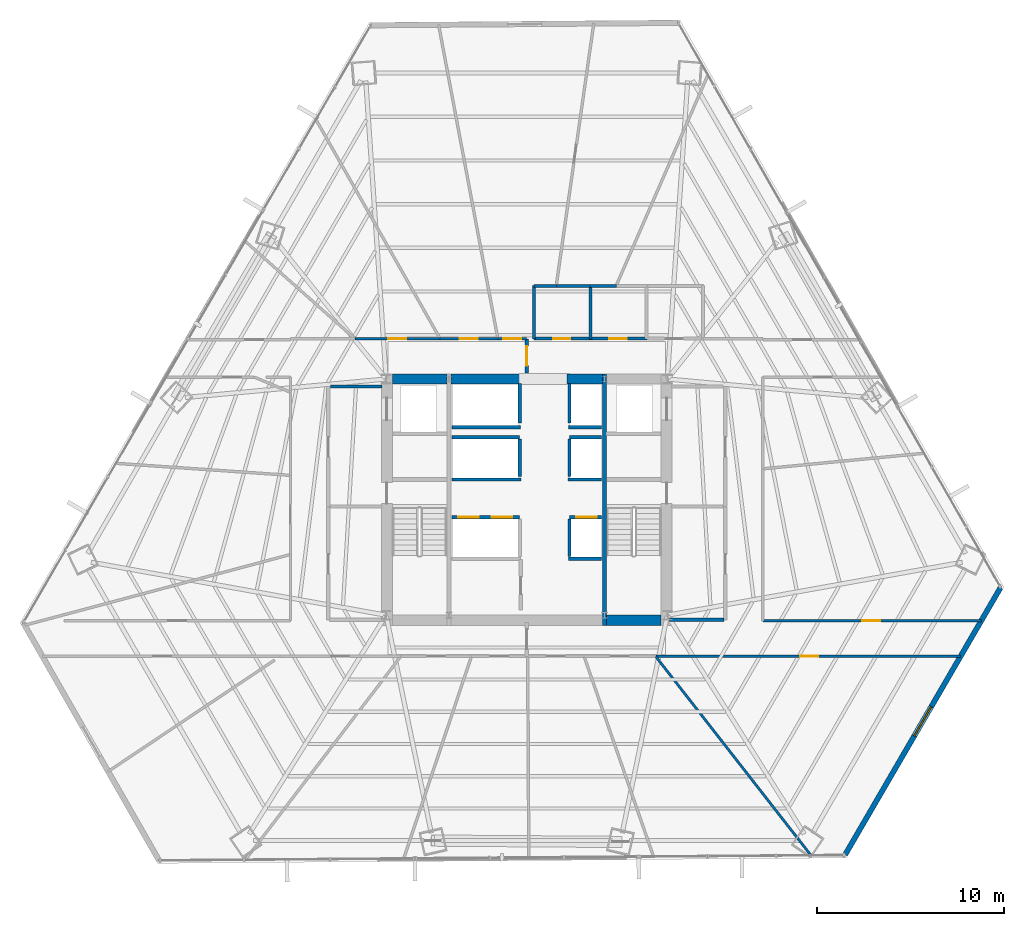
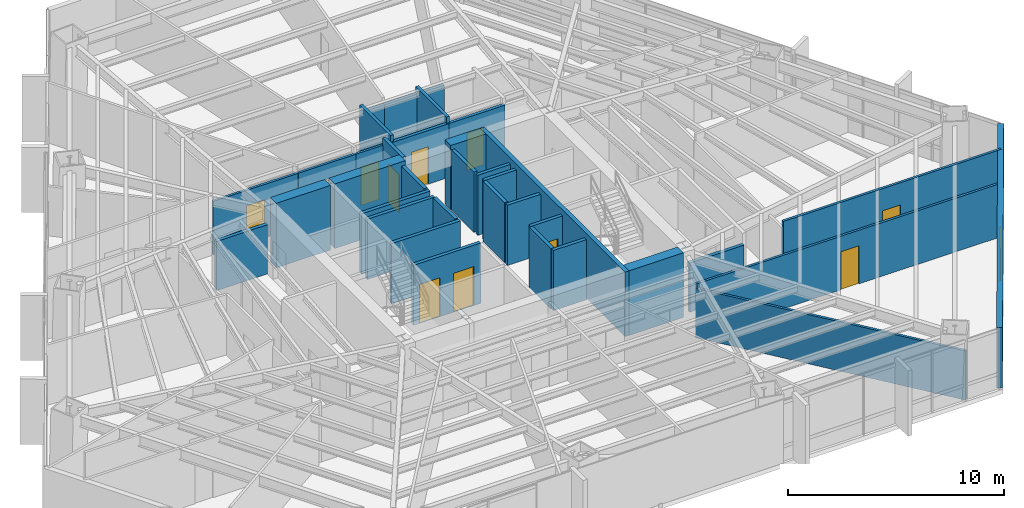
# One storey, part 30 of 35: 36 walls, 11 doors, 1 window, 12 openings.
"""IFC4 building model written with IfcOpenShell, lengths in metres."""

from ifc_helpers import new_model, si_unit, direction, frame, frame_2d, origin, place, context, subcontext, project, spatial, rectangle, extrude, material, layer, layer_set, type_object, element, fill, save


model = new_model("IFC4")

# Units and contexts
model_context = context("Model", 3, precision=1e-05, world=origin(), true_north=direction((0.0, 1.0)))
body_context = subcontext(model_context, "Body", "Model", "MODEL_VIEW")
ifc_project = project(units=[si_unit("LENGTHUNIT", "METRE"), si_unit("AREAUNIT", "SQUARE_METRE"), si_unit("VOLUMEUNIT", "CUBIC_METRE"), si_unit("PLANEANGLEUNIT", "RADIAN"), si_unit("MASSUNIT", "GRAM", prefix="KILO")], contexts=[model_context])

# Site, building, storey
site_placement = place(None, origin())
site = spatial("IfcSite", under=ifc_project, at=site_placement, CompositionType="ELEMENT")
building_placement = place(site_placement, origin())
building = spatial("IfcBuilding", under=site, at=building_placement, Name="Caelisora Broadcast Tower", CompositionType="ELEMENT")
storey_placement = place(building_placement, frame((0.0, 0.0, 53.14990234375)))
storey = spatial("IfcBuildingStorey", under=building, at=storey_placement, Name="L13", CompositionType="ELEMENT", Elevation=53.14990234375)

# Walls
ifc_material_1 = material(Name="Concrete 65 MPa (AS 3600 S65)", Category="concrete")
ifc_layer_1 = layer(ifc_material_1, 0.550048828125, Name="Concrete 65 MPa (AS 3600 S65)")
ifc_layer_set_1 = layer_set([ifc_layer_1], Name="Concrete 65 MPa (AS 3600 S65)")
wall_type_1 = type_object("IfcWallType", Name="CW4", PredefinedType="SHEAR", material=ifc_layer_set_1)
for number, where, z_axis, x_axis, name in (
    (1, (42.260009765625, 17.125, 0.0), (0.0, 0.0, 1.0), (1.0, 0.0, 0.0), "L13 core shear wall CW4"),
    (2, (30.840087890625, 30.0, 0.0), (0.0, 0.0, 1.0), (1.0, 0.0, 0.0), "L13 core shear wall CW4"),
):
    element("IfcWall", number, at=place(storey_placement, frame(where, z_axis=z_axis, x_axis=x_axis)), inside=storey, type_object=wall_type_1, Name=name, PredefinedType="SHEAR", context=body_context, shape_type="SweptSolid", body=[
        extrude(rectangle(XDim=2.89990234375, YDim=0.550048828125, at=frame_2d((1.449951171875, 0.0))), origin(), (0.0, 0.0, 1.0), 3.650146484375),
    ])
wall_1_placement = place(storey_placement, frame((33.9599609375, 30.0, 0.0), z_axis=(0.0, 0.0, 1.0), x_axis=(1.0, 0.0, 0.0)))
element("IfcWall", 3, at=wall_1_placement, inside=storey, type_object=wall_type_1, Name="L13 core shear wall CW4", PredefinedType="SHEAR", context=body_context, shape_type="SweptSolid", body=[
    extrude(rectangle(XDim=3.780029296875, YDim=0.550048828125, at=frame_2d((1.89013671875, 0.0))), origin(), (0.0, 0.0, 1.0), 3.650146484375),
])
wall_2_placement = place(storey_placement, frame((40.159912109375, 30.0, 0.0), z_axis=(0.0, 0.0, 1.0), x_axis=(1.0, 0.0, 0.0)))
element("IfcWall", 4, at=wall_2_placement, inside=storey, type_object=wall_type_1, Name="L13 core shear wall CW4", PredefinedType="SHEAR", context=body_context, shape_type="SweptSolid", body=[
    extrude(rectangle(XDim=1.880126953125, YDim=0.550048828125, at=frame_2d((0.93994140625, 0.0))), origin(), (0.0, 0.0, 1.0), 3.650146484375),
])
ifc_material_2 = material(Name="Concrete 50 MPa (AS 3600 S50)", Category="concrete")
ifc_layer_2 = layer(ifc_material_2, 0.219970703125, Name="Concrete 50 MPa (AS 3600 S50)")
ifc_layer_set_2 = layer_set([ifc_layer_2], Name="Concrete 50 MPa (AS 3600 S50)")
wall_type_2 = type_object("IfcWallType", Name="CW7", PredefinedType="SHEAR", material=ifc_layer_set_2)
wall_3_placement = place(storey_placement, frame((42.14990234375, 16.85009765625, 0.0), z_axis=(0.0, 0.0, 1.0), x_axis=(0.0, 1.0, 0.0)))
element("IfcWall", 5, at=wall_3_placement, inside=storey, type_object=wall_type_2, Name="L13 core shear wall CW7", PredefinedType="SHEAR", context=body_context, shape_type="SweptSolid", body=[
    extrude(rectangle(XDim=13.4248046875, YDim=0.219970703125, at=frame_2d((6.71240234375, 0.0))), origin(), (0.0, 0.0, 1.0), 3.650146484375),
])

# Wall, opening, window
ifc_material_3 = material(Name="Insulated Terracotta Spandrel Wall System", Category="masonry")
ifc_layer_3 = layer(ifc_material_3, 0.280029296875, Name="Insulated Terracotta Spandrel Wall System")
ifc_layer_set_3 = layer_set([ifc_layer_3], Name="Insulated Terracotta Spandrel Wall System")
wall_type_3 = type_object("IfcWallType", Name="EW1", PredefinedType="STANDARD", material=ifc_layer_set_3)
wall_4_placement = place(storey_placement, frame((63.27001953125, 18.864013671875, 0.0), z_axis=(0.0, 0.0, 1.0), x_axis=(-0.502874450926, -0.864359466082, 0.0)))
wall_4 = element("IfcWall", 6, at=wall_4_placement, inside=storey, type_object=wall_type_3, Name="L13 exterior envelope wall EW1", PredefinedType="STANDARD", context=body_context, shape_type="SweptSolid", body=[
    extrude(rectangle(XDim=16.47119140625, YDim=0.280029296875, at=frame_2d((8.235595703125, 0.0))), origin(), (0.0, 0.0, 1.0), 3.400146484375),
])
opening_1_placement = place(wall_4_placement, frame((7.340087890625, 0.0, 0.89990234375)))
opening_1 = element("IfcOpeningElement", 7, at=opening_1_placement, cuts=wall_4, Name="Opening W01", PredefinedType="OPENING", context=body_context, shape_type="SweptSolid", body=[
    extrude(rectangle(XDim=1.800048828125, YDim=1.800048828125, at=frame_2d((0.89990234375, 0.89990234375))), frame((0.0, 0.152099609375, 0.0), z_axis=(0.0, -1.0, 0.0), x_axis=(1.0, 0.0, 0.0)), (0.0, 0.0, 1.0), 0.303955078125),
])
ifc_material_4 = material(Name="Double Glazed Terracotta-Framed Vision Window", Category="glass")
window_type = type_object("IfcWindowType", Name="W01", PartitioningType="SINGLE_PANEL", PredefinedType="WINDOW", material=ifc_material_4)
window_placement = place(opening_1_placement, origin())
window = element("IfcWindow", 8, at=window_placement, inside=storey, type_object=window_type, Name="L13 window W01 (L13-WN-CH0)", OverallHeight=1.800048828125, OverallWidth=1.800048828125, PartitioningType="SINGLE_PANEL", PredefinedType="WINDOW", context=body_context, shape_type="SweptSolid", body=[
    extrude(rectangle(XDim=1.800048828125, YDim=1.800048828125, at=frame_2d((0.89990234375, 0.89990234375))), frame((0.0, 0.030029296875, 0.0), z_axis=(0.0, -1.0, 0.0), x_axis=(1.0, 0.0, 0.0)), (0.0, 0.0, 1.0), 0.06005859375),
])
fill(opening_1, window)

# Wall, openings, doors
ifc_material_5 = material(Name="Fire-Rated Gypsum Shaft and Compartment Wall", Category="gypsum")
ifc_layer_4 = layer(ifc_material_5, 0.179931640625, Name="Fire-Rated Gypsum Shaft and Compartment Wall")
ifc_layer_set_4 = layer_set([ifc_layer_4], Name="Fire-Rated Gypsum Shaft and Compartment Wall")
wall_type_4 = type_object("IfcWallType", Name="PW2", PredefinedType="PARTITIONING", material=ifc_layer_set_4)
wall_5_placement = place(storey_placement, frame((34.02001953125, 22.6201171875, 0.0), z_axis=(0.0, 0.0, 1.0), x_axis=(1.0, 0.0, 0.0)))
wall_5 = element("IfcWall", 9, at=wall_5_placement, inside=storey, type_object=wall_type_4, Name="L13 fire compartment wall PW2", PredefinedType="PARTITIONING", context=body_context, shape_type="SweptSolid", body=[
    extrude(rectangle(XDim=3.60009765625, YDim=0.179931640625, at=frame_2d((1.800048828125, 0.0))), origin(), (0.0, 0.0, 1.0), 3.400146484375),
])
opening_2_placement = place(wall_5_placement, frame((0.320068359375, 0.0, 0.0)))
opening_2 = element("IfcOpeningElement", 10, at=opening_2_placement, cuts=wall_5, Name="Opening LD01", PredefinedType="OPENING", context=body_context, shape_type="SweptSolid", body=[
    extrude(rectangle(XDim=1.10009765625, YDim=2.199951171875, at=frame_2d((0.550048828125, 1.10009765625))), frame((0.0, 0.10205078125, 0.0), z_axis=(0.0, -1.0, 0.0), x_axis=(1.0, 0.0, 0.0)), (0.0, 0.0, 1.0), 0.203857421875),
])
opening_3_placement = place(wall_5_placement, frame((2.1201171875, 0.0, 0.0)))
opening_3 = element("IfcOpeningElement", 11, at=opening_3_placement, cuts=wall_5, Name="Opening LD01", PredefinedType="OPENING", context=body_context, shape_type="SweptSolid", body=[
    extrude(rectangle(XDim=1.10009765625, YDim=2.199951171875, at=frame_2d((0.550048828125, 1.10009765625))), frame((0.0, 0.10205078125, 0.0), z_axis=(0.0, -1.0, 0.0), x_axis=(1.0, 0.0, 0.0)), (0.0, 0.0, 1.0), 0.203857421875),
])
ifc_material_6 = material(Name="Stainless Steel Centre-Parting Lift Landing Door", Category="steel")
door_type_1 = type_object("IfcDoorType", Name="LD01", OperationType="NOTDEFINED", PredefinedType="DOOR", material=ifc_material_6)
door_1_placement = place(opening_2_placement, origin())
door_1 = element("IfcDoor", 12, at=door_1_placement, inside=storey, type_object=door_type_1, Name="L13 door LD01 (L13-LD-PLL1)", OperationType="SLIDING_TO_LEFT", OverallHeight=2.199951171875, OverallWidth=1.10009765625, PredefinedType="DOOR", context=body_context, shape_type="SweptSolid", body=[
    extrude(rectangle(XDim=1.10009765625, YDim=2.199951171875, at=frame_2d((0.550048828125, 1.10009765625))), frame((0.0, 0.02490234375, 0.0), z_axis=(0.0, -1.0, 0.0), x_axis=(1.0, 0.0, 0.0)), (0.0, 0.0, 1.0), 0.050048828125),
])
fill(opening_2, door_1)
door_2_placement = place(opening_3_placement, origin())
door_2 = element("IfcDoor", 13, at=door_2_placement, inside=storey, type_object=door_type_1, Name="L13 door LD01 (L13-LD-PLL2)", OperationType="SLIDING_TO_RIGHT", OverallHeight=2.199951171875, OverallWidth=1.10009765625, PredefinedType="DOOR", context=body_context, shape_type="SweptSolid", body=[
    extrude(rectangle(XDim=1.10009765625, YDim=2.199951171875, at=frame_2d((0.550048828125, 1.10009765625))), frame((0.0, 0.02490234375, 0.0), z_axis=(0.0, -1.0, 0.0), x_axis=(1.0, 0.0, 0.0)), (0.0, 0.0, 1.0), 0.050048828125),
])
fill(opening_3, door_2)

# Wall, opening, door
wall_6_placement = place(storey_placement, frame((40.280029296875, 22.6201171875, 0.0), z_axis=(0.0, 0.0, 1.0), x_axis=(1.0, 0.0, 0.0)))
wall_6 = element("IfcWall", 14, at=wall_6_placement, inside=storey, type_object=wall_type_4, Name="L13 fire compartment wall PW2", PredefinedType="PARTITIONING", context=body_context, shape_type="SweptSolid", body=[
    extrude(rectangle(XDim=1.699951171875, YDim=0.179931640625, at=frame_2d((0.85009765625, 0.0))), origin(), (0.0, 0.0, 1.0), 3.400146484375),
])
opening_4_placement = place(wall_6_placement, frame((0.35009765625, 0.0, 0.0)))
opening_4 = element("IfcOpeningElement", 15, at=opening_4_placement, cuts=wall_6, Name="Opening LD01", PredefinedType="OPENING", context=body_context, shape_type="SweptSolid", body=[
    extrude(rectangle(XDim=1.10009765625, YDim=2.199951171875, at=frame_2d((0.550048828125, 1.10009765625))), frame((0.0, 0.10205078125, 0.0), z_axis=(0.0, -1.0, 0.0), x_axis=(1.0, 0.0, 0.0)), (0.0, 0.0, 1.0), 0.203857421875),
])
door_3_placement = place(opening_4_placement, origin())
door_3 = element("IfcDoor", 16, at=door_3_placement, inside=storey, type_object=door_type_1, Name="L13 door LD01 (L13-LD-PLL3)", OperationType="SLIDING_TO_LEFT", OverallHeight=2.199951171875, OverallWidth=1.10009765625, PredefinedType="DOOR", context=body_context, shape_type="SweptSolid", body=[
    extrude(rectangle(XDim=1.10009765625, YDim=2.199951171875, at=frame_2d((0.550048828125, 1.10009765625))), frame((0.0, 0.02490234375, 0.0), z_axis=(0.0, -1.0, 0.0), x_axis=(1.0, 0.0, 0.0)), (0.0, 0.0, 1.0), 0.050048828125),
])
fill(opening_4, door_3)

# Walls
wall_7_placement = place(storey_placement, frame((40.280029296875, 20.52001953125, 0.0), z_axis=(0.0, 0.0, 1.0), x_axis=(0.0, 1.0, 0.0)))
element("IfcWall", 17, at=wall_7_placement, inside=storey, type_object=wall_type_4, Name="L13 fire compartment wall PW2", PredefinedType="PARTITIONING", context=body_context, shape_type="SweptSolid", body=[
    extrude(rectangle(XDim=2.0, YDim=0.179931640625, at=frame_2d((1.0, 0.0))), origin(), (0.0, 0.0, 1.0), 3.400146484375),
])
wall_8_placement = place(storey_placement, frame((34.02001953125, 26.89990234375, 0.0), z_axis=(0.0, 0.0, 1.0), x_axis=(1.0, 0.0, 0.0)))
element("IfcWall", 18, at=wall_8_placement, inside=storey, type_object=wall_type_4, Name="L13 fire compartment wall PW2", PredefinedType="PARTITIONING", context=body_context, shape_type="SweptSolid", body=[
    extrude(rectangle(XDim=3.60009765625, YDim=0.179931640625, at=frame_2d((1.800048828125, 0.0))), origin(), (0.0, 0.0, 1.0), 3.400146484375),
])
wall_9_placement = place(storey_placement, frame((40.280029296875, 26.89990234375, 0.0), z_axis=(0.0, 0.0, 1.0), x_axis=(1.0, 0.0, 0.0)))
element("IfcWall", 19, at=wall_9_placement, inside=storey, type_object=wall_type_4, Name="L13 fire compartment wall PW2", PredefinedType="PARTITIONING", context=body_context, shape_type="SweptSolid", body=[
    extrude(rectangle(XDim=1.699951171875, YDim=0.179931640625, at=frame_2d((0.85009765625, 0.0))), origin(), (0.0, 0.0, 1.0), 3.400146484375),
])
for number, where, z_axis, x_axis, name in (
    (20, (37.6201171875, 24.800048828125, 0.0), (0.0, 0.0, 1.0), (0.0, 1.0, 0.0), "L13 fire compartment wall PW2"),
    (21, (40.280029296875, 24.800048828125, 0.0), (0.0, 0.0, 1.0), (0.0, 1.0, 0.0), "L13 fire compartment wall PW2"),
):
    element("IfcWall", number, at=place(storey_placement, frame(where, z_axis=z_axis, x_axis=x_axis)), inside=storey, type_object=wall_type_4, Name=name, PredefinedType="PARTITIONING", context=body_context, shape_type="SweptSolid", body=[
        extrude(rectangle(XDim=2.0, YDim=0.179931640625, at=frame_2d((1.0, 0.0))), origin(), (0.0, 0.0, 1.0), 3.400146484375),
    ])
wall_10_placement = place(storey_placement, frame((34.02001953125, 24.639892578125, 0.0), z_axis=(0.0, 0.0, 1.0), x_axis=(1.0, 0.0, 0.0)))
element("IfcWall", 22, at=wall_10_placement, inside=storey, type_object=wall_type_4, Name="L13 fire compartment wall PW2", PredefinedType="PARTITIONING", context=body_context, shape_type="SweptSolid", body=[
    extrude(rectangle(XDim=3.679931640625, YDim=0.179931640625, at=frame_2d((1.83984375, 0.0))), origin(), (0.0, 0.0, 1.0), 3.400146484375),
])
wall_11_placement = place(storey_placement, frame((40.199951171875, 24.639892578125, 0.0), z_axis=(0.0, 0.0, 1.0), x_axis=(1.0, 0.0, 0.0)))
element("IfcWall", 23, at=wall_11_placement, inside=storey, type_object=wall_type_4, Name="L13 fire compartment wall PW2", PredefinedType="PARTITIONING", context=body_context, shape_type="SweptSolid", body=[
    extrude(rectangle(XDim=1.780029296875, YDim=0.179931640625, at=frame_2d((0.89013671875, 0.0))), origin(), (0.0, 0.0, 1.0), 3.400146484375),
])
wall_12_placement = place(storey_placement, frame((34.02001953125, 27.419921875, 0.0), z_axis=(0.0, 0.0, 1.0), x_axis=(1.0, 0.0, 0.0)))
element("IfcWall", 24, at=wall_12_placement, inside=storey, type_object=wall_type_4, Name="L13 fire compartment wall PW2", PredefinedType="PARTITIONING", context=body_context, shape_type="SweptSolid", body=[
    extrude(rectangle(XDim=3.659912109375, YDim=0.179931640625, at=frame_2d((1.830078125, 0.0))), origin(), (0.0, 0.0, 1.0), 3.400146484375),
])
wall_13_placement = place(storey_placement, frame((40.219970703125, 27.419921875, 0.0), z_axis=(0.0, 0.0, 1.0), x_axis=(1.0, 0.0, 0.0)))
element("IfcWall", 25, at=wall_13_placement, inside=storey, type_object=wall_type_4, Name="L13 fire compartment wall PW2", PredefinedType="PARTITIONING", context=body_context, shape_type="SweptSolid", body=[
    extrude(rectangle(XDim=1.760009765625, YDim=0.179931640625, at=frame_2d((0.8798828125, 0.0))), origin(), (0.0, 0.0, 1.0), 3.400146484375),
])
for number, where, z_axis, x_axis, name in (
    (26, (37.6201171875, 27.639892578125, 0.0), (0.0, 0.0, 1.0), (0.0, 1.0, 0.0), "L13 fire compartment wall PW2"),
    (27, (40.280029296875, 27.639892578125, 0.0), (0.0, 0.0, 1.0), (0.0, 1.0, 0.0), "L13 fire compartment wall PW2"),
):
    element("IfcWall", number, at=place(storey_placement, frame(where, z_axis=z_axis, x_axis=x_axis)), inside=storey, type_object=wall_type_4, Name=name, PredefinedType="PARTITIONING", context=body_context, shape_type="SweptSolid", body=[
        extrude(rectangle(XDim=2.110107421875, YDim=0.179931640625, at=frame_2d((1.05517578125, 0.0))), origin(), (0.0, 0.0, 1.0), 3.400146484375),
    ])
wall_14_placement = place(storey_placement, frame((27.52001953125, 29.60009765625, 0.0), z_axis=(0.0, 0.0, 1.0), x_axis=(1.0, 0.0, 0.0)))
element("IfcWall", 28, at=wall_14_placement, inside=storey, type_object=wall_type_4, Name="L13 fire compartment wall PW2", PredefinedType="PARTITIONING", context=body_context, shape_type="SweptSolid", body=[
    extrude(rectangle(XDim=2.760009765625, YDim=0.179931640625, at=frame_2d((1.3798828125, 0.0))), origin(), (0.0, 0.0, 1.0), 2.782958984375),
])
wall_15_placement = place(storey_placement, frame((40.219970703125, 20.419921875, 0.0), z_axis=(0.0, 0.0, 1.0), x_axis=(1.0, 0.0, 0.0)))
element("IfcWall", 29, at=wall_15_placement, inside=storey, type_object=wall_type_4, Name="L13 fire compartment wall PW2", PredefinedType="PARTITIONING", context=body_context, shape_type="SweptSolid", body=[
    extrude(rectangle(XDim=1.760009765625, YDim=0.179931640625, at=frame_2d((0.8798828125, 0.0))), origin(), (0.0, 0.0, 1.0), 3.400146484375),
])
wall_16_placement = place(storey_placement, frame((45.6201171875, 17.14990234375, 0.0), z_axis=(0.0, 0.0, 1.0), x_axis=(1.0, 0.0, 0.0)))
element("IfcWall", 30, at=wall_16_placement, inside=storey, type_object=wall_type_4, Name="L13 fire compartment wall PW2", PredefinedType="PARTITIONING", context=body_context, shape_type="SweptSolid", body=[
    extrude(rectangle(XDim=2.89990234375, YDim=0.179931640625, at=frame_2d((1.449951171875, 0.0))), origin(), (0.0, 0.0, 1.0), 2.782958984375),
])

# Wall, opening, door
wall_17_placement = place(storey_placement, frame((38.0, 30.320068359375, 0.0), z_axis=(0.0, 0.0, 1.0), x_axis=(0.0, 1.0, 0.0)))
wall_17 = element("IfcWall", 31, at=wall_17_placement, inside=storey, type_object=wall_type_4, Name="L13 fire compartment wall PW2", PredefinedType="PARTITIONING", context=body_context, shape_type="SweptSolid", body=[
    extrude(rectangle(XDim=1.824951171875, YDim=0.179931640625, at=frame_2d((0.91259765625, 0.0))), origin(), (0.0, 0.0, 1.0), 3.400146484375),
])
opening_5_placement = place(wall_17_placement, frame((0.387939453125, 0.0, 0.0)))
opening_5 = element("IfcOpeningElement", 32, at=opening_5_placement, cuts=wall_17, Name="Opening FD02", PredefinedType="OPENING", context=body_context, shape_type="SweptSolid", body=[
    extrude(rectangle(XDim=1.050048828125, YDim=2.14990234375, at=frame_2d((0.52490234375, 1.074951171875))), frame((0.0, 0.10205078125, 0.0), z_axis=(0.0, -1.0, 0.0), x_axis=(1.0, 0.0, 0.0)), (0.0, 0.0, 1.0), 0.203857421875),
])
ifc_material_7 = material(Name="Single-Leaf Steel Fire Lobby Door", Category="steel")
door_type_2 = type_object("IfcDoorType", Name="FD02", OperationType="NOTDEFINED", PredefinedType="DOOR", material=ifc_material_7)
door_4_placement = place(opening_5_placement, origin())
door_4 = element("IfcDoor", 33, at=door_4_placement, inside=storey, type_object=door_type_2, Name="L13 door FD02 (L13-DR-P67D1)", OperationType="SINGLE_SWING_LEFT", OverallHeight=2.14990234375, OverallWidth=1.050048828125, PredefinedType="DOOR", context=body_context, shape_type="SweptSolid", body=[
    extrude(rectangle(XDim=1.050048828125, YDim=2.14990234375, at=frame_2d((0.52490234375, 1.074951171875))), frame((0.0, 0.02490234375, 0.0), z_axis=(0.0, -1.0, 0.0), x_axis=(1.0, 0.0, 0.0)), (0.0, 0.0, 1.0), 0.050048828125),
])
fill(opening_5, door_4)

ifc_material_8 = material(Name="Acoustic Steel-Stud Plasterboard Partition", Category="gypsum")
ifc_layer_5 = layer(ifc_material_8, 0.1298828125, Name="Acoustic Steel-Stud Plasterboard Partition")
ifc_layer_set_5 = layer_set([ifc_layer_5], Name="Acoustic Steel-Stud Plasterboard Partition")
wall_type_5 = type_object("IfcWallType", Name="PW3", PredefinedType="PARTITIONING", material=ifc_layer_set_5)
wall_18_placement = place(storey_placement, frame((44.885009765625, 15.199951171875, 0.0), z_axis=(0.0, 0.0, 1.0), x_axis=(1.0, 0.0, 0.0)))
wall_18 = element("IfcWall", 34, at=wall_18_placement, inside=storey, type_object=wall_type_5, Name="L13 internal partition PW3", PredefinedType="PARTITIONING", context=body_context, shape_type="SweptSolid", body=[
    extrude(rectangle(XDim=16.259033203125, YDim=0.1298828125, at=frame_2d((8.12939453125, 0.0))), origin(), (0.0, 0.0, 1.0), 3.026611328125),
])
opening_6_placement = place(wall_18_placement, frame((7.702880859375, 0.0, 0.0)))
opening_6 = element("IfcOpeningElement", 35, at=opening_6_placement, cuts=wall_18, Name="Opening D01", PredefinedType="OPENING", context=body_context, shape_type="SweptSolid", body=[
    extrude(rectangle(XDim=0.9599609375, YDim=2.14990234375, at=frame_2d((0.47998046875, 1.074951171875))), frame((0.0, 0.076904296875, 0.0), z_axis=(0.0, -1.0, 0.0), x_axis=(1.0, 0.0, 0.0)), (0.0, 0.0, 1.0), 0.15380859375),
])
ifc_material_9 = material(Name="Solid-Core Timber Acoustic Office Door", Category="wood")
door_type_3 = type_object("IfcDoorType", Name="D01", OperationType="NOTDEFINED", PredefinedType="DOOR", material=ifc_material_9)
door_5_placement = place(opening_6_placement, origin())
door_5 = element("IfcDoor", 36, at=door_5_placement, inside=storey, type_object=door_type_3, Name="L13 door D01 (L13-DR-P29D1)", OperationType="SINGLE_SWING_LEFT", OverallHeight=2.14990234375, OverallWidth=0.9599609375, PredefinedType="DOOR", context=body_context, shape_type="SweptSolid", body=[
    extrude(rectangle(XDim=0.9599609375, YDim=2.14990234375, at=frame_2d((0.47998046875, 1.074951171875))), frame((0.0, 0.02490234375, 0.0), z_axis=(0.0, -1.0, 0.0), x_axis=(1.0, 0.0, 0.0)), (0.0, 0.0, 1.0), 0.050048828125),
])
fill(opening_6, door_5)

# Wall
wall_19_placement = place(storey_placement, frame((44.883056640625, 15.196044921875, 0.0), z_axis=(0.0, 0.0, 1.0), x_axis=(0.615319223465, -0.788278030415, 0.0)))
element("IfcWall", 37, at=wall_19_placement, inside=storey, type_object=wall_type_5, Name="L13 internal partition PW3", PredefinedType="PARTITIONING", context=body_context, shape_type="SweptSolid", body=[
    extrude(rectangle(XDim=13.46484375, YDim=0.1298828125, at=frame_2d((6.732421875, 0.0))), origin(), (0.0, 0.0, 1.0), 2.782958984375),
])

# Wall, opening, door
wall_20_placement = place(storey_placement, frame((62.24951171875, 17.10009765625, 0.0), z_axis=(0.0, 0.0, 1.0), x_axis=(-1.0, 0.0, 0.0)))
wall_20 = element("IfcWall", 38, at=wall_20_placement, inside=storey, type_object=wall_type_5, Name="L13 internal partition PW3", PredefinedType="PARTITIONING", context=body_context, shape_type="SweptSolid", body=[
    extrude(rectangle(XDim=11.64453125, YDim=0.1298828125, at=frame_2d((5.822265625, 0.0))), origin(), (0.0, 0.0, 1.0), 3.400146484375),
])
opening_7_placement = place(wall_20_placement, frame((5.39794921875, 0.0, 0.0)))
opening_7 = element("IfcOpeningElement", 39, at=opening_7_placement, cuts=wall_20, Name="Opening D01", PredefinedType="OPENING", context=body_context, shape_type="SweptSolid", body=[
    extrude(rectangle(XDim=0.9599609375, YDim=2.14990234375, at=frame_2d((0.47998046875, 1.074951171875))), frame((0.0, 0.076904296875, 0.0), z_axis=(0.0, -1.0, 0.0), x_axis=(1.0, 0.0, 0.0)), (0.0, 0.0, 1.0), 0.15380859375),
])
door_6_placement = place(opening_7_placement, origin())
door_6 = element("IfcDoor", 40, at=door_6_placement, inside=storey, type_object=door_type_3, Name="L13 door D01 (L13-DR-P38D1)", OperationType="SINGLE_SWING_LEFT", OverallHeight=2.14990234375, OverallWidth=0.9599609375, PredefinedType="DOOR", context=body_context, shape_type="SweptSolid", body=[
    extrude(rectangle(XDim=0.9599609375, YDim=2.14990234375, at=frame_2d((0.47998046875, 1.074951171875))), frame((0.0, 0.02490234375, 0.0), z_axis=(0.0, -1.0, 0.0), x_axis=(1.0, 0.0, 0.0)), (0.0, 0.0, 1.0), 0.050048828125),
])
fill(opening_7, door_6)

wall_21_placement = place(storey_placement, frame((28.8349609375, 32.14990234375, 0.0), z_axis=(0.0, 0.0, 1.0), x_axis=(1.0, 0.0, 0.0)))
wall_21 = element("IfcWall", 41, at=wall_21_placement, inside=storey, type_object=wall_type_5, Name="L13 internal partition PW3", PredefinedType="PARTITIONING", context=body_context, shape_type="SweptSolid", body=[
    extrude(rectangle(XDim=4.5400390625, YDim=0.1298828125, at=frame_2d((2.27001953125, 0.0))), origin(), (0.0, 0.0, 1.0), 3.026611328125),
])
opening_8_placement = place(wall_21_placement, frame((1.7900390625, 0.0, 0.0)))
opening_8 = element("IfcOpeningElement", 42, at=opening_8_placement, cuts=wall_21, Name="Opening D01", PredefinedType="OPENING", context=body_context, shape_type="SweptSolid", body=[
    extrude(rectangle(XDim=0.9599609375, YDim=2.14990234375, at=frame_2d((0.47998046875, 1.074951171875))), frame((0.0, 0.076904296875, 0.0), z_axis=(0.0, -1.0, 0.0), x_axis=(1.0, 0.0, 0.0)), (0.0, 0.0, 1.0), 0.15380859375),
])
door_7_placement = place(opening_8_placement, origin())
door_7 = element("IfcDoor", 43, at=door_7_placement, inside=storey, type_object=door_type_3, Name="L13 door D01 (L13-DR-P53D1)", OperationType="SINGLE_SWING_LEFT", OverallHeight=2.14990234375, OverallWidth=0.9599609375, PredefinedType="DOOR", context=body_context, shape_type="SweptSolid", body=[
    extrude(rectangle(XDim=0.9599609375, YDim=2.14990234375, at=frame_2d((0.47998046875, 1.074951171875))), frame((0.0, 0.02490234375, 0.0), z_axis=(0.0, -1.0, 0.0), x_axis=(1.0, 0.0, 0.0)), (0.0, 0.0, 1.0), 0.050048828125),
])
fill(opening_8, door_7)

wall_22_placement = place(storey_placement, frame((33.385009765625, 32.14990234375, 0.0), z_axis=(0.0, 0.0, 1.0), x_axis=(1.0, 0.0, 0.0)))
wall_22 = element("IfcWall", 44, at=wall_22_placement, inside=storey, type_object=wall_type_5, Name="L13 internal partition PW3", PredefinedType="PARTITIONING", context=body_context, shape_type="SweptSolid", body=[
    extrude(rectangle(XDim=3.070068359375, YDim=0.1298828125, at=frame_2d((1.53515625, 0.0))), origin(), (0.0, 0.0, 1.0), 3.026611328125),
])
opening_9_placement = place(wall_22_placement, frame((1.054931640625, 0.0, 0.0)))
opening_9 = element("IfcOpeningElement", 45, at=opening_9_placement, cuts=wall_22, Name="Opening D01", PredefinedType="OPENING", context=body_context, shape_type="SweptSolid", body=[
    extrude(rectangle(XDim=0.9599609375, YDim=2.14990234375, at=frame_2d((0.47998046875, 1.074951171875))), frame((0.0, 0.076904296875, 0.0), z_axis=(0.0, -1.0, 0.0), x_axis=(1.0, 0.0, 0.0)), (0.0, 0.0, 1.0), 0.15380859375),
])
door_8_placement = place(opening_9_placement, origin())
door_8 = element("IfcDoor", 46, at=door_8_placement, inside=storey, type_object=door_type_3, Name="L13 door D01 (L13-DR-P61D1)", OperationType="SINGLE_SWING_LEFT", OverallHeight=2.14990234375, OverallWidth=0.9599609375, PredefinedType="DOOR", context=body_context, shape_type="SweptSolid", body=[
    extrude(rectangle(XDim=0.9599609375, YDim=2.14990234375, at=frame_2d((0.47998046875, 1.074951171875))), frame((0.0, 0.02490234375, 0.0), z_axis=(0.0, -1.0, 0.0), x_axis=(1.0, 0.0, 0.0)), (0.0, 0.0, 1.0), 0.050048828125),
])
fill(opening_9, door_8)

wall_23_placement = place(storey_placement, frame((36.465087890625, 32.14990234375, 0.0), z_axis=(0.0, 0.0, 1.0), x_axis=(1.0, 0.0, 0.0)))
wall_23 = element("IfcWall", 47, at=wall_23_placement, inside=storey, type_object=wall_type_5, Name="L13 internal partition PW3", PredefinedType="PARTITIONING", context=body_context, shape_type="SweptSolid", body=[
    extrude(rectangle(XDim=1.530029296875, YDim=0.1298828125, at=frame_2d((0.76513671875, 0.0))), origin(), (0.0, 0.0, 1.0), 3.026611328125),
])
opening_10_placement = place(wall_23_placement, frame((0.284912109375, 0.0, 0.0)))
opening_10 = element("IfcOpeningElement", 48, at=opening_10_placement, cuts=wall_23, Name="Opening D01", PredefinedType="OPENING", context=body_context, shape_type="SweptSolid", body=[
    extrude(rectangle(XDim=0.9599609375, YDim=2.14990234375, at=frame_2d((0.47998046875, 1.074951171875))), frame((0.0, 0.076904296875, 0.0), z_axis=(0.0, -1.0, 0.0), x_axis=(1.0, 0.0, 0.0)), (0.0, 0.0, 1.0), 0.15380859375),
])
door_9_placement = place(opening_10_placement, origin())
door_9 = element("IfcDoor", 49, at=door_9_placement, inside=storey, type_object=door_type_3, Name="L13 door D01 (L13-DR-P68D1)", OperationType="SINGLE_SWING_RIGHT", OverallHeight=2.14990234375, OverallWidth=0.9599609375, PredefinedType="DOOR", context=body_context, shape_type="SweptSolid", body=[
    extrude(rectangle(XDim=0.9599609375, YDim=2.14990234375, at=frame_2d((0.47998046875, 1.074951171875))), frame((0.0, 0.02490234375, 0.0), z_axis=(0.0, -1.0, 0.0), x_axis=(1.0, 0.0, 0.0)), (0.0, 0.0, 1.0), 0.050048828125),
])
fill(opening_10, door_9)

ifc_material_10 = material(Name="Moisture-Resistant Wet Plumbing Service Wall", Category="gypsum")
ifc_layer_6 = layer(ifc_material_10, 0.159912109375, Name="Moisture-Resistant Wet Plumbing Service Wall")
ifc_layer_set_6 = layer_set([ifc_layer_6], Name="Moisture-Resistant Wet Plumbing Service Wall")
wall_type_6 = type_object("IfcWallType", Name="PW4", PredefinedType="PLUMBINGWALL", material=ifc_layer_set_6)
wall_24_placement = place(storey_placement, frame((38.375, 32.14990234375, 0.0), z_axis=(0.0, 0.0, 1.0), x_axis=(1.0, 0.0, 0.0)))
wall_24 = element("IfcWall", 50, at=wall_24_placement, inside=storey, type_object=wall_type_6, Name="L13 wet plumbing wall PW4", PredefinedType="PLUMBINGWALL", context=body_context, shape_type="SweptSolid", body=[
    extrude(rectangle(XDim=3.050048828125, YDim=0.159912109375, at=frame_2d((1.52490234375, 0.0))), origin(), (0.0, 0.0, 1.0), 3.026611328125),
])
opening_11_placement = place(wall_24_placement, frame((1.034912109375, 0.0, 0.0)))
opening_11 = element("IfcOpeningElement", 51, at=opening_11_placement, cuts=wall_24, Name="Opening D03", PredefinedType="OPENING", context=body_context, shape_type="SweptSolid", body=[
    extrude(rectangle(XDim=0.919921875, YDim=2.10009765625, at=frame_2d((0.4599609375, 1.050048828125))), frame((0.0, 0.092041015625, 0.0), z_axis=(0.0, -1.0, 0.0), x_axis=(1.0, 0.0, 0.0)), (0.0, 0.0, 1.0), 0.183837890625),
])
ifc_material_11 = material(Name="Laminate Moisture-Resistant Amenity WC Door", Category="wood")
door_type_4 = type_object("IfcDoorType", Name="D03", OperationType="NOTDEFINED", PredefinedType="DOOR", material=ifc_material_11)
door_10_placement = place(opening_11_placement, origin())
door_10 = element("IfcDoor", 52, at=door_10_placement, inside=storey, type_object=door_type_4, Name="L13 door D03 (L13-DR-P16D1)", OperationType="SINGLE_SWING_RIGHT", OverallHeight=2.10009765625, OverallWidth=0.919921875, PredefinedType="DOOR", context=body_context, shape_type="SweptSolid", body=[
    extrude(rectangle(XDim=0.919921875, YDim=2.10009765625, at=frame_2d((0.4599609375, 1.050048828125))), frame((0.0, 0.02490234375, 0.0), z_axis=(0.0, -1.0, 0.0), x_axis=(1.0, 0.0, 0.0)), (0.0, 0.0, 1.0), 0.050048828125),
])
fill(opening_11, door_10)

wall_25_placement = place(storey_placement, frame((41.375, 32.14990234375, 0.0), z_axis=(0.0, 0.0, 1.0), x_axis=(1.0, 0.0, 0.0)))
wall_25 = element("IfcWall", 53, at=wall_25_placement, inside=storey, type_object=wall_type_6, Name="L13 wet plumbing wall PW4", PredefinedType="PLUMBINGWALL", context=body_context, shape_type="SweptSolid", body=[
    extrude(rectangle(XDim=3.050048828125, YDim=0.159912109375, at=frame_2d((1.52490234375, 0.0))), origin(), (0.0, 0.0, 1.0), 3.026611328125),
])
opening_12_placement = place(wall_25_placement, frame((1.034912109375, 0.0, 0.0)))
opening_12 = element("IfcOpeningElement", 54, at=opening_12_placement, cuts=wall_25, Name="Opening D03", PredefinedType="OPENING", context=body_context, shape_type="SweptSolid", body=[
    extrude(rectangle(XDim=0.919921875, YDim=2.10009765625, at=frame_2d((0.4599609375, 1.050048828125))), frame((0.0, 0.092041015625, 0.0), z_axis=(0.0, -1.0, 0.0), x_axis=(1.0, 0.0, 0.0)), (0.0, 0.0, 1.0), 0.183837890625),
])
door_11_placement = place(opening_12_placement, origin())
door_11 = element("IfcDoor", 55, at=door_11_placement, inside=storey, type_object=door_type_4, Name="L13 door D03 (L13-DR-P17D1)", OperationType="SINGLE_SWING_LEFT", OverallHeight=2.10009765625, OverallWidth=0.919921875, PredefinedType="DOOR", context=body_context, shape_type="SweptSolid", body=[
    extrude(rectangle(XDim=0.919921875, YDim=2.10009765625, at=frame_2d((0.4599609375, 1.050048828125))), frame((0.0, 0.02490234375, 0.0), z_axis=(0.0, -1.0, 0.0), x_axis=(1.0, 0.0, 0.0)), (0.0, 0.0, 1.0), 0.050048828125),
])
fill(opening_12, door_11)

# Walls
for number, where, z_axis, x_axis, name in (
    (56, (41.39990234375, 32.125, 0.0), (0.0, 0.0, 1.0), (0.0, 1.0, 0.0), "L13 wet plumbing wall PW4"),
    (57, (38.39990234375, 32.125, 0.0), (0.0, 0.0, 1.0), (0.0, 1.0, 0.0), "L13 wet plumbing wall PW4"),
):
    element("IfcWall", number, at=place(storey_placement, frame(where, z_axis=z_axis, x_axis=x_axis)), inside=storey, type_object=wall_type_6, Name=name, PredefinedType="PLUMBINGWALL", context=body_context, shape_type="SweptSolid", body=[
        extrude(rectangle(XDim=2.85009765625, YDim=0.159912109375, at=frame_2d((1.425048828125, 0.0))), origin(), (0.0, 0.0, 1.0), 3.400146484375),
    ])
wall_26_placement = place(storey_placement, frame((39.544921875, 34.949951171875, 0.0), z_axis=(0.0, 0.0, 1.0), x_axis=(1.0, 0.0, 0.0)))
element("IfcWall", 58, at=wall_26_placement, inside=storey, type_object=wall_type_6, Name="L13 wet plumbing wall PW4", PredefinedType="PLUMBINGWALL", context=body_context, shape_type="SweptSolid", body=[
    extrude(rectangle(XDim=1.880126953125, YDim=0.159912109375, at=frame_2d((0.93994140625, 0.0))), origin(), (0.0, 0.0, 1.0), 3.026611328125),
])
wall_27_placement = place(storey_placement, frame((41.375, 34.949951171875, 0.0), z_axis=(0.0, 0.0, 1.0), x_axis=(1.0, 0.0, 0.0)))
element("IfcWall", 59, at=wall_27_placement, inside=storey, type_object=wall_type_6, Name="L13 wet plumbing wall PW4", PredefinedType="PLUMBINGWALL", context=body_context, shape_type="SweptSolid", body=[
    extrude(rectangle(XDim=1.409912109375, YDim=0.159912109375, at=frame_2d((0.705078125, 0.0))), origin(), (0.0, 0.0, 1.0), 3.026611328125),
])
wall_28_placement = place(storey_placement, frame((38.375, 34.949951171875, 0.0), z_axis=(0.0, 0.0, 1.0), x_axis=(1.0, 0.0, 0.0)))
element("IfcWall", 60, at=wall_28_placement, inside=storey, type_object=wall_type_6, Name="L13 wet plumbing wall PW4", PredefinedType="PLUMBINGWALL", context=body_context, shape_type="SweptSolid", body=[
    extrude(rectangle(XDim=1.219970703125, YDim=0.159912109375, at=frame_2d((0.60986328125, 0.0))), origin(), (0.0, 0.0, 1.0), 3.026611328125),
])

save(model, "model.ifc")
